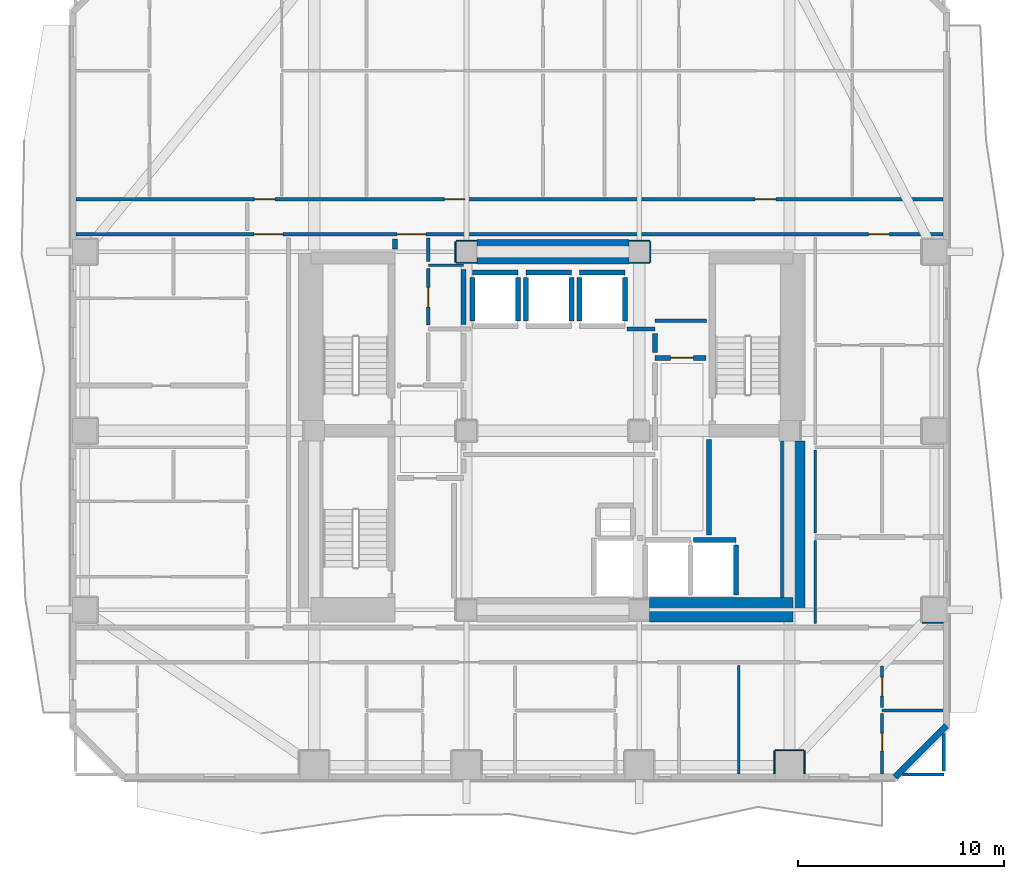
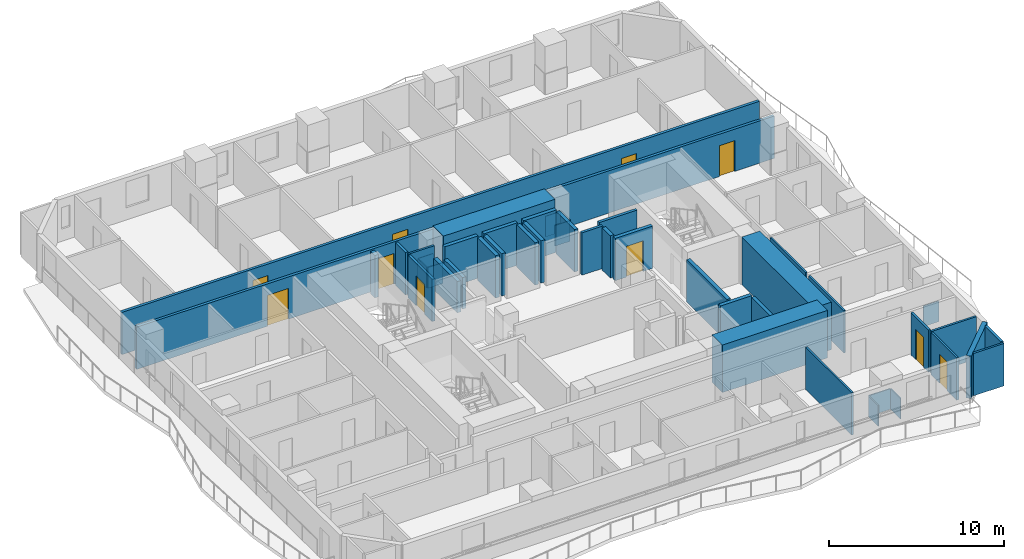
# One storey, part 5 of 12: 45 walls, 10 doors, 10 openings.
"""IFC4 building model written with IfcOpenShell, lengths in metres."""

from ifc_helpers import new_model, si_unit, direction, frame, frame_2d, origin, place, context, subcontext, project, spatial, rectangle, extrude, material, layer, layer_set, type_object, element, fill, save


model = new_model("IFC4")

# Units and contexts
model_context = context("Model", 3, precision=1e-05, world=origin(), true_north=direction((0.0, 1.0)))
body_context = subcontext(model_context, "Body", "Model", "MODEL_VIEW")
ifc_project = project(units=[si_unit("LENGTHUNIT", "METRE"), si_unit("AREAUNIT", "SQUARE_METRE"), si_unit("VOLUMEUNIT", "CUBIC_METRE"), si_unit("PLANEANGLEUNIT", "RADIAN"), si_unit("MASSUNIT", "GRAM", prefix="KILO")], contexts=[model_context])

# Site, building, storey
site_placement = place(None, origin())
site = spatial("IfcSite", under=ifc_project, at=site_placement, CompositionType="ELEMENT")
building_placement = place(site_placement, origin())
building = spatial("IfcBuilding", under=site, at=building_placement, Name="Solanera Arch Residences", CompositionType="ELEMENT")
storey_placement = place(building_placement, frame((0.0, 0.0, 85.080078125)))
storey = spatial("IfcBuildingStorey", under=building, at=storey_placement, Name="L24", CompositionType="ELEMENT", Elevation=85.080078125)

# Walls
ifc_material_1 = material(Name="Fire-Rated Gypsum Stud Partition", Category="gypsum")
ifc_layer_1 = layer(ifc_material_1, 0.06005859375)
ifc_layer_set_1 = layer_set([ifc_layer_1], Name="Fire-Rated Gypsum Stud Partition")
wall_type_1 = type_object("IfcWallType", Name="Column Acoustic Furring Wall 60", PredefinedType="PARTITIONING", material=ifc_layer_set_1)
for number, where, z_axis, x_axis, name in (
    (1, (20.300048828125, 38.867919921875, 0.0), (0.0, 0.0, 1.0), (1.0, 0.0, 0.0), "L24 Column Furring 3S"),
    (2, (20.300048828125, 39.931884765625, 0.0), (0.0, 0.0, 1.0), (1.0, 0.0, 0.0), "L24 Column Furring 3N"),
):
    element("IfcWall", number, at=place(storey_placement, frame(where, z_axis=z_axis, x_axis=x_axis)), inside=storey, type_object=wall_type_1, Name=name, PredefinedType="PARTITIONING", context=body_context, shape_type="SweptSolid", body=[
        extrude(rectangle(XDim=0.989990234375, YDim=0.06005859375, at=frame_2d((0.4951171875, 0.0))), origin(), (0.0, 0.0, 1.0), 1.449951171875),
    ])
wall_1_placement = place(storey_placement, frame((20.26806640625, 38.89990234375, 0.0), z_axis=(0.0, 0.0, 1.0), x_axis=(0.0, 1.0, 0.0)))
element("IfcWall", 3, at=wall_1_placement, inside=storey, type_object=wall_type_1, Name="L24 Column Furring 3W", PredefinedType="PARTITIONING", context=body_context, shape_type="SweptSolid", body=[
    extrude(rectangle(XDim=1.0, YDim=0.06005859375, at=frame_2d((0.5, 0.0))), origin(), (0.0, 0.0, 1.0), 1.449951171875),
])
for number, where, z_axis, x_axis, name in (
    (4, (28.7099609375, 38.867919921875, 0.0), (0.0, 0.0, 1.0), (1.0, 0.0, 0.0), "L24 Column Furring 4S"),
    (5, (28.7099609375, 39.931884765625, 0.0), (0.0, 0.0, 1.0), (1.0, 0.0, 0.0), "L24 Column Furring 4N"),
):
    element("IfcWall", number, at=place(storey_placement, frame(where, z_axis=z_axis, x_axis=x_axis)), inside=storey, type_object=wall_type_1, Name=name, PredefinedType="PARTITIONING", context=body_context, shape_type="SweptSolid", body=[
        extrude(rectangle(XDim=0.989990234375, YDim=0.06005859375, at=frame_2d((0.4951171875, 0.0))), origin(), (0.0, 0.0, 1.0), 1.449951171875),
    ])
wall_2_placement = place(storey_placement, frame((29.73193359375, 38.89990234375, 0.0), z_axis=(0.0, 0.0, 1.0), x_axis=(0.0, 1.0, 0.0)))
element("IfcWall", 6, at=wall_2_placement, inside=storey, type_object=wall_type_1, Name="L24 Column Furring 4E", PredefinedType="PARTITIONING", context=body_context, shape_type="SweptSolid", body=[
    extrude(rectangle(XDim=1.0, YDim=0.06005859375, at=frame_2d((0.5, 0.0))), origin(), (0.0, 0.0, 1.0), 1.449951171875),
])
wall_3_placement = place(storey_placement, frame((35.800048828125, 15.181884765625, 0.0), z_axis=(0.0, 0.0, 1.0), x_axis=(1.0, 0.0, 0.0)))
element("IfcWall", 7, at=wall_3_placement, inside=storey, type_object=wall_type_1, Name="L24 Column Furring 15N", PredefinedType="PARTITIONING", context=body_context, shape_type="SweptSolid", body=[
    extrude(rectangle(XDim=1.39990234375, YDim=0.06005859375, at=frame_2d((0.699951171875, 0.0))), origin(), (0.0, 0.0, 1.0), 1.449951171875),
])
for number, where, z_axis, x_axis, name in (
    (8, (35.76806640625, 14.030029296875, 0.0), (0.0, 0.0, 1.0), (0.0, 1.0, 0.0), "L24 Column Furring 15W"),
    (9, (37.23193359375, 14.030029296875, 0.0), (0.0, 0.0, 1.0), (0.0, 1.0, 0.0), "L24 Column Furring 15E"),
):
    element("IfcWall", number, at=place(storey_placement, frame(where, z_axis=z_axis, x_axis=x_axis)), inside=storey, type_object=wall_type_1, Name=name, PredefinedType="PARTITIONING", context=body_context, shape_type="SweptSolid", body=[
        extrude(rectangle(XDim=1.119873046875, YDim=0.06005859375, at=frame_2d((0.56005859375, 0.0))), origin(), (0.0, 0.0, 1.0), 1.449951171875),
    ])
wall_4_placement = place(storey_placement, frame((42.949951171875, 21.367919921875, 0.0), z_axis=(0.0, 0.0, 1.0), x_axis=(1.0, 0.0, 0.0)))
element("IfcWall", 10, at=wall_4_placement, inside=storey, type_object=wall_type_1, Name="L24 Column Furring 18S", PredefinedType="PARTITIONING", context=body_context, shape_type="SweptSolid", body=[
    extrude(rectangle(XDim=1.02001953125, YDim=0.06005859375, at=frame_2d((0.510009765625, 0.0))), origin(), (0.0, 0.0, 1.0), 1.449951171875),
])
ifc_material_2 = material(Name="Concrete C55/67 (f'c = 60 MPa)", Category="concrete")
ifc_layer_2 = layer(ifc_material_2, 1.199951171875)
ifc_layer_set_2 = layer_set([ifc_layer_2], Name="Concrete C55/67 (f'c = 60 MPa)")
wall_type_2 = type_object("IfcWallType", Name="Core Shear Wall CW-1200", PredefinedType="SHEAR", material=ifc_layer_set_2)
wall_5_placement = place(storey_placement, frame((36.659912109375, 22.0, 0.0), z_axis=(0.0, 0.0, 1.0), x_axis=(0.0, 1.0, 0.0)))
element("IfcWall", 11, at=wall_5_placement, inside=storey, type_object=wall_type_2, Name="L24 East Core South Shear Wall", PredefinedType="SHEAR", context=body_context, shape_type="SweptSolid", body=[
    extrude(rectangle(XDim=8.195068359375, YDim=1.199951171875, at=frame_2d((4.09765625, 0.0))), origin(), (0.0, 0.0, 1.0), 3.31982421875),
])
wall_6_placement = place(storey_placement, frame((29.705078125, 22.0, 0.0), z_axis=(0.0, 0.0, 1.0), x_axis=(1.0, 0.0, 0.0)))
element("IfcWall", 12, at=wall_6_placement, inside=storey, type_object=wall_type_2, Name="L24 South-East Core Shear Wall", PredefinedType="SHEAR", context=body_context, shape_type="SweptSolid", body=[
    extrude(rectangle(XDim=6.954833984375, YDim=1.199951171875, at=frame_2d((3.4775390625, 0.0))), origin(), (0.0, 0.0, 1.0), 3.31982421875),
])
wall_7_placement = place(storey_placement, frame((21.304931640625, 39.39990234375, 0.0), z_axis=(0.0, 0.0, 1.0), x_axis=(1.0, 0.0, 0.0)))
element("IfcWall", 13, at=wall_7_placement, inside=storey, type_object=wall_type_2, Name="L24 Central North Core Shear Wall", PredefinedType="SHEAR", context=body_context, shape_type="SweptSolid", body=[
    extrude(rectangle(XDim=7.39013671875, YDim=1.199951171875, at=frame_2d((3.695068359375, 0.0))), origin(), (0.0, 0.0, 1.0), 3.31982421875),
])
ifc_material_3 = material(Name="Autoclaved Aerated Concrete Blockwork", Category="masonry")
ifc_layer_3 = layer(ifc_material_3, 0.179931640625)
ifc_layer_set_3 = layer_set([ifc_layer_3], Name="Autoclaved Aerated Concrete Blockwork")
wall_type_3 = type_object("IfcWallType", Name="Corridor Fire Partition 180", PredefinedType="PARTITIONING", material=ifc_layer_set_3)
wall_8_placement = place(storey_placement, frame((28.593017578125, 35.64990234375, 0.0), z_axis=(0.0, 0.0, 1.0), x_axis=(1.0, 0.0, 0.0)))
element("IfcWall", 14, at=wall_8_placement, inside=storey, type_object=wall_type_3, Name="L24 Interior Partition H10 2", PredefinedType="PARTITIONING", context=body_context, shape_type="SweptSolid", body=[
    extrude(rectangle(XDim=1.382080078125, YDim=0.179931640625, at=frame_2d((0.69091796875, 0.0))), origin(), (0.0, 0.0, 1.0), 2.9599609375),
])
wall_9_placement = place(storey_placement, frame((29.97509765625, 36.050048828125, 0.0), z_axis=(0.0, 0.0, 1.0), x_axis=(1.0, 0.0, 0.0)))
element("IfcWall", 15, at=wall_9_placement, inside=storey, type_object=wall_type_3, Name="L24 Interior Partition H11", PredefinedType="PARTITIONING", context=body_context, shape_type="SweptSolid", body=[
    extrude(rectangle(XDim=2.5048828125, YDim=0.179931640625, at=frame_2d((1.25244140625, 0.0))), origin(), (0.0, 0.0, 1.0), 2.9599609375),
])

# Wall, openings, doors
wall_10_placement = place(storey_placement, frame((1.826904296875, 40.25, 0.0), z_axis=(0.0, 0.0, 1.0), x_axis=(1.0, 0.0, 0.0)))
wall_10 = element("IfcWall", 16, at=wall_10_placement, inside=storey, type_object=wall_type_3, Name="L24 Interior Partition H12", PredefinedType="PARTITIONING", context=body_context, shape_type="SweptSolid", body=[
    extrude(rectangle(XDim=42.14599609375, YDim=0.179931640625, at=frame_2d((21.072998046875, 0.0))), origin(), (0.0, 0.0, 1.0), 2.9599609375),
])
opening_1_placement = place(wall_10_placement, frame((15.60791015625, 0.0, 0.0)))
opening_1 = element("IfcOpeningElement", 17, at=opening_1_placement, cuts=wall_10, Name="Opening DF-03", PredefinedType="OPENING", context=body_context, shape_type="SweptSolid", body=[
    extrude(rectangle(XDim=1.39990234375, YDim=2.14990234375, at=frame_2d((0.699951171875, 1.074951171875))), frame((0.0, 0.10009765625, 0.0), z_axis=(0.0, -1.0, 0.0), x_axis=(1.0, 0.0, 0.0)), (0.0, 0.0, 1.0), 0.1999),
])
opening_2_placement = place(wall_10_placement, frame((8.64697265625, 0.0, 0.0)))
opening_2 = element("IfcOpeningElement", 18, at=opening_2_placement, cuts=wall_10, Name="Opening DF-03", PredefinedType="OPENING", context=body_context, shape_type="SweptSolid", body=[
    extrude(rectangle(XDim=1.39990234375, YDim=2.14990234375, at=frame_2d((0.699951171875, 1.074951171875))), frame((0.0, 0.10009765625, 0.0), z_axis=(0.0, -1.0, 0.0), x_axis=(1.0, 0.0, 0.0)), (0.0, 0.0, 1.0), 0.1999),
])
opening_3_placement = place(wall_10_placement, frame((38.52392578125, 0.0, 0.0)))
opening_3 = element("IfcOpeningElement", 19, at=opening_3_placement, cuts=wall_10, Name="Opening DI-01", PredefinedType="OPENING", context=body_context, shape_type="SweptSolid", body=[
    extrude(rectangle(XDim=1.0, YDim=2.14990234375, at=frame_2d((0.5, 1.074951171875))), frame((0.0, 0.10009765625, 0.0), z_axis=(0.0, -1.0, 0.0), x_axis=(1.0, 0.0, 0.0)), (0.0, 0.0, 1.0), 0.1999),
])
ifc_material_4 = material(Name="Fire-Rated Architectural Hardwood", Category="wood")
door_type_1 = type_object("IfcDoorType", Name="Corridor Smoke Door DF-03", OperationType="NOTDEFINED", PredefinedType="DOOR", material=ifc_material_4)
door_1_placement = place(opening_1_placement, origin())
door_1 = element("IfcDoor", 20, at=door_1_placement, inside=storey, type_object=door_type_1, Name="DR-L24-IN-009", OperationType="SINGLE_SWING_LEFT", OverallHeight=2.14990234375, OverallWidth=1.39990234375, PredefinedType="DOOR", context=body_context, shape_type="SweptSolid", body=[
    extrude(rectangle(XDim=1.39990234375, YDim=2.14990234375, at=frame_2d((0.699951171875, 1.074951171875))), frame((0.0, 0.02490234375, 0.0), z_axis=(0.0, -1.0, 0.0), x_axis=(1.0, 0.0, 0.0)), (0.0, 0.0, 1.0), 0.050048828125),
])
fill(opening_1, door_1)
door_2_placement = place(opening_2_placement, origin())
door_2 = element("IfcDoor", 21, at=door_2_placement, inside=storey, type_object=door_type_1, Name="DR-L24-IN-011", OperationType="SINGLE_SWING_LEFT", OverallHeight=2.14990234375, OverallWidth=1.39990234375, PredefinedType="DOOR", context=body_context, shape_type="SweptSolid", body=[
    extrude(rectangle(XDim=1.39990234375, YDim=2.14990234375, at=frame_2d((0.699951171875, 1.074951171875))), frame((0.0, 0.02490234375, 0.0), z_axis=(0.0, -1.0, 0.0), x_axis=(1.0, 0.0, 0.0)), (0.0, 0.0, 1.0), 0.050048828125),
])
fill(opening_2, door_2)
ifc_material_5 = material(Name="Fire-Rated Architectural Hardwood", Category="wood")
door_type_2 = type_object("IfcDoorType", Name="Unit Entrance Fire Door DI-01", OperationType="NOTDEFINED", PredefinedType="DOOR", material=ifc_material_5)
door_3_placement = place(opening_3_placement, origin())
door_3 = element("IfcDoor", 22, at=door_3_placement, inside=storey, type_object=door_type_2, Name="DR-L24-IN-052", OperationType="SINGLE_SWING_RIGHT", OverallHeight=2.14990234375, OverallWidth=1.0, PredefinedType="DOOR", context=body_context, shape_type="SweptSolid", body=[
    extrude(rectangle(XDim=1.0, YDim=2.14990234375, at=frame_2d((0.5, 1.074951171875))), frame((0.0, 0.02490234375, 0.0), z_axis=(0.0, -1.0, 0.0), x_axis=(1.0, 0.0, 0.0)), (0.0, 0.0, 1.0), 0.050048828125),
])
fill(opening_3, door_3)

wall_11_placement = place(storey_placement, frame((1.826904296875, 41.949951171875, 0.0), z_axis=(0.0, 0.0, 1.0), x_axis=(1.0, 0.0, 0.0)))
wall_11 = element("IfcWall", 23, at=wall_11_placement, inside=storey, type_object=wall_type_3, Name="L24 Interior Partition H13", PredefinedType="PARTITIONING", context=body_context, shape_type="SweptSolid", body=[
    extrude(rectangle(XDim=42.14599609375, YDim=0.179931640625, at=frame_2d((21.072998046875, 0.0))), origin(), (0.0, 0.0, 1.0), 2.9599609375),
])
opening_4_placement = place(wall_11_placement, frame((8.66796875, 0.0, 0.0)))
opening_4 = element("IfcOpeningElement", 24, at=opening_4_placement, cuts=wall_11, Name="Opening DI-01", PredefinedType="OPENING", context=body_context, shape_type="SweptSolid", body=[
    extrude(rectangle(XDim=1.0, YDim=2.14990234375, at=frame_2d((0.5, 1.074951171875))), frame((0.0, 0.10009765625, 0.0), z_axis=(0.0, -1.0, 0.0), x_axis=(1.0, 0.0, 0.0)), (0.0, 0.0, 1.0), 0.1999),
])
opening_5_placement = place(wall_11_placement, frame((17.902099609375, 0.0, 0.0)))
opening_5 = element("IfcOpeningElement", 25, at=opening_5_placement, cuts=wall_11, Name="Opening DI-01", PredefinedType="OPENING", context=body_context, shape_type="SweptSolid", body=[
    extrude(rectangle(XDim=1.0, YDim=2.14990234375, at=frame_2d((0.5, 1.074951171875))), frame((0.0, 0.10009765625, 0.0), z_axis=(0.0, -1.0, 0.0), x_axis=(1.0, 0.0, 0.0)), (0.0, 0.0, 1.0), 0.1999),
])
opening_6_placement = place(wall_11_placement, frame((33.010009765625, 0.0, 0.0)))
opening_6 = element("IfcOpeningElement", 26, at=opening_6_placement, cuts=wall_11, Name="Opening DI-01", PredefinedType="OPENING", context=body_context, shape_type="SweptSolid", body=[
    extrude(rectangle(XDim=1.0, YDim=2.14990234375, at=frame_2d((0.5, 1.074951171875))), frame((0.0, 0.10009765625, 0.0), z_axis=(0.0, -1.0, 0.0), x_axis=(1.0, 0.0, 0.0)), (0.0, 0.0, 1.0), 0.1999),
])
door_4_placement = place(opening_4_placement, origin())
door_4 = element("IfcDoor", 27, at=door_4_placement, inside=storey, type_object=door_type_2, Name="DR-L24-IN-026", OperationType="SINGLE_SWING_RIGHT", OverallHeight=2.14990234375, OverallWidth=1.0, PredefinedType="DOOR", context=body_context, shape_type="SweptSolid", body=[
    extrude(rectangle(XDim=1.0, YDim=2.14990234375, at=frame_2d((0.5, 1.074951171875))), frame((0.0, 0.02490234375, 0.0), z_axis=(0.0, -1.0, 0.0), x_axis=(1.0, 0.0, 0.0)), (0.0, 0.0, 1.0), 0.050048828125),
])
fill(opening_4, door_4)
door_5_placement = place(opening_5_placement, origin())
door_5 = element("IfcDoor", 28, at=door_5_placement, inside=storey, type_object=door_type_2, Name="DR-L24-IN-031", OperationType="SINGLE_SWING_LEFT", OverallHeight=2.14990234375, OverallWidth=1.0, PredefinedType="DOOR", context=body_context, shape_type="SweptSolid", body=[
    extrude(rectangle(XDim=1.0, YDim=2.14990234375, at=frame_2d((0.5, 1.074951171875))), frame((0.0, 0.02490234375, 0.0), z_axis=(0.0, -1.0, 0.0), x_axis=(1.0, 0.0, 0.0)), (0.0, 0.0, 1.0), 0.050048828125),
])
fill(opening_5, door_5)
door_6_placement = place(opening_6_placement, origin())
door_6 = element("IfcDoor", 29, at=door_6_placement, inside=storey, type_object=door_type_2, Name="DR-L24-IN-035", OperationType="SINGLE_SWING_LEFT", OverallHeight=2.14990234375, OverallWidth=1.0, PredefinedType="DOOR", context=body_context, shape_type="SweptSolid", body=[
    extrude(rectangle(XDim=1.0, YDim=2.14990234375, at=frame_2d((0.5, 1.074951171875))), frame((0.0, 0.02490234375, 0.0), z_axis=(0.0, -1.0, 0.0), x_axis=(1.0, 0.0, 0.0)), (0.0, 0.0, 1.0), 0.050048828125),
])
fill(opening_6, door_6)

# Wall, opening, door
wall_12_placement = place(storey_placement, frame((18.949951171875, 35.837890625, 0.0), z_axis=(0.0, 0.0, 1.0), x_axis=(0.0, 1.0, 0.0)))
wall_12 = element("IfcWall", 30, at=wall_12_placement, inside=storey, type_object=wall_type_3, Name="L24 Interior Partition V8 2", PredefinedType="PARTITIONING", context=body_context, shape_type="SweptSolid", body=[
    extrude(rectangle(XDim=2.744140625, YDim=0.179931640625, at=frame_2d((1.3720703125, 0.0))), origin(), (0.0, 0.0, 1.0), 2.9599609375),
])
opening_7_placement = place(wall_12_placement, frame((0.886962890625, 0.0, 0.0)))
opening_7 = element("IfcOpeningElement", 31, at=opening_7_placement, cuts=wall_12, Name="Opening DI-04", PredefinedType="OPENING", context=body_context, shape_type="SweptSolid", body=[
    extrude(rectangle(XDim=0.949951171875, YDim=2.10009765625, at=frame_2d((0.47509765625, 1.050048828125))), frame((0.0, 0.10009765625, 0.0), z_axis=(0.0, -1.0, 0.0), x_axis=(1.0, 0.0, 0.0)), (0.0, 0.0, 1.0), 0.1999),
])
ifc_material_6 = material(Name="Fire-Rated Architectural Hardwood", Category="wood")
door_type_3 = type_object("IfcDoorType", Name="Accessible Restroom Door DI-04", OperationType="NOTDEFINED", PredefinedType="DOOR", material=ifc_material_6)
door_7_placement = place(opening_7_placement, origin())
door_7 = element("IfcDoor", 32, at=door_7_placement, inside=storey, type_object=door_type_3, Name="DR-L24-IN-012", OperationType="SINGLE_SWING_RIGHT", OverallHeight=2.10009765625, OverallWidth=0.949951171875, PredefinedType="DOOR", context=body_context, shape_type="SweptSolid", body=[
    extrude(rectangle(XDim=0.949951171875, YDim=2.10009765625, at=frame_2d((0.47509765625, 1.050048828125))), frame((0.0, 0.02490234375, 0.0), z_axis=(0.0, -1.0, 0.0), x_axis=(1.0, 0.0, 0.0)), (0.0, 0.0, 1.0), 0.050048828125),
])
fill(opening_7, door_7)

# Walls
wall_13_placement = place(storey_placement, frame((18.949951171875, 38.91796875, 0.0), z_axis=(0.0, 0.0, 1.0), x_axis=(0.0, 1.0, 0.0)))
element("IfcWall", 33, at=wall_13_placement, inside=storey, type_object=wall_type_3, Name="L24 Interior Partition V8 3", PredefinedType="PARTITIONING", context=body_context, shape_type="SweptSolid", body=[
    extrude(rectangle(XDim=1.14404296875, YDim=0.179931640625, at=frame_2d((0.572021484375, 0.0))), origin(), (0.0, 0.0, 1.0), 2.9599609375),
])
wall_14_placement = place(storey_placement, frame((44.0, 14.16796875, 0.0), z_axis=(0.0, 0.0, 1.0), x_axis=(0.0, 1.0, 0.0)))
element("IfcWall", 34, at=wall_14_placement, inside=storey, type_object=wall_type_3, Name="L24 Interior Partition V9 1", PredefinedType="PARTITIONING", context=body_context, shape_type="SweptSolid", body=[
    extrude(rectangle(XDim=1.8330078125, YDim=0.179931640625, at=frame_2d((0.91650390625, 0.0))), origin(), (0.0, 0.0, 1.0), 2.9599609375),
])
ifc_material_7 = material(Name="Precast Concrete C35/45", Category="concrete")
ifc_layer_4 = layer(ifc_material_7, 0.300048828125)
ifc_layer_set_4 = layer_set([ifc_layer_4], Name="Precast Concrete C35/45")
wall_type_4 = type_object("IfcWallType", Name="Exterior Wall Precast Masonry-Frame 300", PredefinedType="STANDARD", material=ifc_layer_set_4)
wall_15_placement = place(storey_placement, frame((44.135009765625, 16.364990234375, 0.0), z_axis=(0.0, 0.0, 1.0), x_axis=(-0.707106781187, -0.707106781187, 0.0)))
element("IfcWall", 35, at=wall_15_placement, inside=storey, type_object=wall_type_4, Name="L24 Tower Exterior Precast Masonry-Frame Wall CH5", PredefinedType="STANDARD", context=body_context, shape_type="SweptSolid", body=[
    extrude(rectangle(XDim=3.53564453125, YDim=0.300048828125, at=frame_2d((1.767822265625, 0.0))), origin(), (0.0, 0.0, 1.0), 2.9599609375),
])
ifc_material_8 = material(Name="Autoclaved Aerated Concrete Blockwork", Category="masonry")
ifc_layer_5 = layer(ifc_material_8, 0.239990234375)
ifc_layer_set_5 = layer_set([ifc_layer_5], Name="Autoclaved Aerated Concrete Blockwork")
wall_type_5 = type_object("IfcWallType", Name="Shaft Wall Fire-Rated 240", PredefinedType="PARTITIONING", material=ifc_layer_set_5)
wall_16_placement = place(storey_placement, frame((21.10009765625, 38.39990234375, 0.0), z_axis=(0.0, 0.0, 1.0), x_axis=(1.0, 0.0, 0.0)))
element("IfcWall", 36, at=wall_16_placement, inside=storey, type_object=wall_type_5, Name="L24 Lift PL-L1 Hoistway Wall N", PredefinedType="PARTITIONING", context=body_context, shape_type="SweptSolid", body=[
    extrude(rectangle(XDim=2.199951171875, YDim=0.239990234375, at=frame_2d((1.10009765625, 0.0))), origin(), (0.0, 0.0, 1.0), 2.9599609375),
])
wall_17_placement = place(storey_placement, frame((21.10009765625, 36.048095703125, 0.0), z_axis=(0.0, 0.0, 1.0), x_axis=(0.0, 1.0, 0.0)))
element("IfcWall", 37, at=wall_17_placement, inside=storey, type_object=wall_type_5, Name="L24 Lift PL-L1 Hoistway Wall W", PredefinedType="PARTITIONING", context=body_context, shape_type="SweptSolid", body=[
    extrude(rectangle(XDim=2.10400390625, YDim=0.239990234375, at=frame_2d((1.052001953125, 0.0))), origin(), (0.0, 0.0, 1.0), 2.19482421875),
])
wall_18_placement = place(storey_placement, frame((23.300048828125, 36.048095703125, 0.0), z_axis=(0.0, 0.0, 1.0), x_axis=(0.0, 1.0, 0.0)))
element("IfcWall", 38, at=wall_18_placement, inside=storey, type_object=wall_type_5, Name="L24 Lift PL-L1 Hoistway Wall E", PredefinedType="PARTITIONING", context=body_context, shape_type="SweptSolid", body=[
    extrude(rectangle(XDim=2.10400390625, YDim=0.239990234375, at=frame_2d((1.052001953125, 0.0))), origin(), (0.0, 0.0, 1.0), 2.9599609375),
])
wall_19_placement = place(storey_placement, frame((23.699951171875, 38.39990234375, 0.0), z_axis=(0.0, 0.0, 1.0), x_axis=(1.0, 0.0, 0.0)))
element("IfcWall", 39, at=wall_19_placement, inside=storey, type_object=wall_type_5, Name="L24 Lift PL-L2 Hoistway Wall N", PredefinedType="PARTITIONING", context=body_context, shape_type="SweptSolid", body=[
    extrude(rectangle(XDim=2.199951171875, YDim=0.239990234375, at=frame_2d((1.10009765625, 0.0))), origin(), (0.0, 0.0, 1.0), 2.9599609375),
])
for number, where, z_axis, x_axis, name in (
    (40, (23.699951171875, 36.048095703125, 0.0), (0.0, 0.0, 1.0), (0.0, 1.0, 0.0), "L24 Lift PL-L2 Hoistway Wall W"),
    (41, (25.89990234375, 36.048095703125, 0.0), (0.0, 0.0, 1.0), (0.0, 1.0, 0.0), "L24 Lift PL-L2 Hoistway Wall E"),
):
    element("IfcWall", number, at=place(storey_placement, frame(where, z_axis=z_axis, x_axis=x_axis)), inside=storey, type_object=wall_type_5, Name=name, PredefinedType="PARTITIONING", context=body_context, shape_type="SweptSolid", body=[
        extrude(rectangle(XDim=2.10400390625, YDim=0.239990234375, at=frame_2d((1.052001953125, 0.0))), origin(), (0.0, 0.0, 1.0), 2.9599609375),
    ])
wall_20_placement = place(storey_placement, frame((26.300048828125, 38.39990234375, 0.0), z_axis=(0.0, 0.0, 1.0), x_axis=(1.0, 0.0, 0.0)))
element("IfcWall", 42, at=wall_20_placement, inside=storey, type_object=wall_type_5, Name="L24 Lift PL-L3 Hoistway Wall N", PredefinedType="PARTITIONING", context=body_context, shape_type="SweptSolid", body=[
    extrude(rectangle(XDim=2.199951171875, YDim=0.239990234375, at=frame_2d((1.10009765625, 0.0))), origin(), (0.0, 0.0, 1.0), 2.9599609375),
])
for number, where, z_axis, x_axis, name in (
    (43, (26.300048828125, 36.048095703125, 0.0), (0.0, 0.0, 1.0), (0.0, 1.0, 0.0), "L24 Lift PL-L3 Hoistway Wall W"),
    (44, (28.5, 36.048095703125, 0.0), (0.0, 0.0, 1.0), (0.0, 1.0, 0.0), "L24 Lift PL-L3 Hoistway Wall E"),
):
    element("IfcWall", number, at=place(storey_placement, frame(where, z_axis=z_axis, x_axis=x_axis)), inside=storey, type_object=wall_type_5, Name=name, PredefinedType="PARTITIONING", context=body_context, shape_type="SweptSolid", body=[
        extrude(rectangle(XDim=2.10400390625, YDim=0.239990234375, at=frame_2d((1.052001953125, 0.0))), origin(), (0.0, 0.0, 1.0), 2.9599609375),
    ])
wall_21_placement = place(storey_placement, frame((31.827880859375, 25.39990234375, 0.0), z_axis=(0.0, 0.0, 1.0), x_axis=(1.0, 0.0, 0.0)))
element("IfcWall", 45, at=wall_21_placement, inside=storey, type_object=wall_type_5, Name="L24 Lift FFL-2 Hoistway Wall N", PredefinedType="PARTITIONING", context=body_context, shape_type="SweptSolid", body=[
    extrude(rectangle(XDim=2.072021484375, YDim=0.239990234375, at=frame_2d((1.0361328125, 0.0))), origin(), (0.0, 0.0, 1.0), 2.9599609375),
])
wall_22_placement = place(storey_placement, frame((33.89990234375, 22.72998046875, 0.0), z_axis=(0.0, 0.0, 1.0), x_axis=(0.0, 1.0, 0.0)))
element("IfcWall", 46, at=wall_22_placement, inside=storey, type_object=wall_type_5, Name="L24 Lift FFL-2 Hoistway Wall E", PredefinedType="PARTITIONING", context=body_context, shape_type="SweptSolid", body=[
    extrude(rectangle(XDim=2.422119140625, YDim=0.239990234375, at=frame_2d((1.2109375, 0.0))), origin(), (0.0, 0.0, 1.0), 2.9599609375),
])

# Wall, opening, door
wall_23_placement = place(storey_placement, frame((29.97509765625, 34.25, 0.0), z_axis=(0.0, 0.0, 1.0), x_axis=(1.0, 0.0, 0.0)))
wall_23 = element("IfcWall", 47, at=wall_23_placement, inside=storey, type_object=wall_type_5, Name="L24 Interior Partition H7", PredefinedType="PARTITIONING", context=body_context, shape_type="SweptSolid", body=[
    extrude(rectangle(XDim=2.474853515625, YDim=0.239990234375, at=frame_2d((1.2373046875, 0.0))), origin(), (0.0, 0.0, 1.0), 2.9599609375),
])
opening_8_placement = place(wall_23_placement, frame((0.751953125, 0.0, 0.0)))
opening_8 = element("IfcOpeningElement", 48, at=opening_8_placement, cuts=wall_23, Name="Opening DF-02", PredefinedType="OPENING", context=body_context, shape_type="SweptSolid", body=[
    extrude(rectangle(XDim=1.10009765625, YDim=2.14990234375, at=frame_2d((0.550048828125, 1.074951171875))), frame((0.0, 0.1298828125, 0.0), z_axis=(0.0, -1.0, 0.0), x_axis=(1.0, 0.0, 0.0)), (0.0, 0.0, 1.0), 0.26),
])
ifc_material_9 = material(Name="Fire-Rated Architectural Hardwood", Category="wood")
door_type_4 = type_object("IfcDoorType", Name="Firefighting Lobby Fire Door DF-02", OperationType="NOTDEFINED", PredefinedType="DOOR", material=ifc_material_9)
door_8_placement = place(opening_8_placement, origin())
door_8 = element("IfcDoor", 49, at=door_8_placement, inside=storey, type_object=door_type_4, Name="DR-L24-IN-007", OperationType="SINGLE_SWING_LEFT", OverallHeight=2.14990234375, OverallWidth=1.10009765625, PredefinedType="DOOR", context=body_context, shape_type="SweptSolid", body=[
    extrude(rectangle(XDim=1.10009765625, YDim=2.14990234375, at=frame_2d((0.550048828125, 1.074951171875))), frame((0.0, 0.02490234375, 0.0), z_axis=(0.0, -1.0, 0.0), x_axis=(1.0, 0.0, 0.0)), (0.0, 0.0, 1.0), 0.050048828125),
])
fill(opening_8, door_8)

# Walls
wall_24_placement = place(storey_placement, frame((17.320068359375, 39.530029296875, 0.0), z_axis=(0.0, 0.0, 1.0), x_axis=(0.0, 1.0, 0.0)))
element("IfcWall", 50, at=wall_24_placement, inside=storey, type_object=wall_type_5, Name="L24 Interior Partition V1", PredefinedType="PARTITIONING", context=body_context, shape_type="SweptSolid", body=[
    extrude(rectangle(XDim=0.501953125, YDim=0.239990234375, at=frame_2d((0.2509765625, 0.0))), origin(), (0.0, 0.0, 1.0), 2.9599609375),
])
wall_25_placement = place(storey_placement, frame((20.64990234375, 35.867919921875, 0.0), z_axis=(0.0, 0.0, 1.0), x_axis=(0.0, 1.0, 0.0)))
element("IfcWall", 51, at=wall_25_placement, inside=storey, type_object=wall_type_5, Name="L24 Interior Partition V3 5", PredefinedType="PARTITIONING", context=body_context, shape_type="SweptSolid", body=[
    extrude(rectangle(XDim=2.68408203125, YDim=0.239990234375, at=frame_2d((1.342041015625, 0.0))), origin(), (0.0, 0.0, 1.0), 2.19482421875),
])
wall_26_placement = place(storey_placement, frame((29.97509765625, 34.498046875, 0.0), z_axis=(0.0, 0.0, 1.0), x_axis=(0.0, 1.0, 0.0)))
element("IfcWall", 52, at=wall_26_placement, inside=storey, type_object=wall_type_5, Name="L24 Interior Partition V4 3", PredefinedType="PARTITIONING", context=body_context, shape_type="SweptSolid", body=[
    extrude(rectangle(XDim=0.933837890625, YDim=0.239990234375, at=frame_2d((0.466796875, 0.0))), origin(), (0.0, 0.0, 1.0), 2.9599609375),
])
wall_27_placement = place(storey_placement, frame((32.580078125, 25.64794921875, 0.0), z_axis=(0.0, 0.0, 1.0), x_axis=(0.0, 1.0, 0.0)))
element("IfcWall", 53, at=wall_27_placement, inside=storey, type_object=wall_type_5, Name="L24 Interior Partition V5", PredefinedType="PARTITIONING", context=body_context, shape_type="SweptSolid", body=[
    extrude(rectangle(XDim=4.6220703125, YDim=0.239990234375, at=frame_2d((2.31103515625, 0.0))), origin(), (0.0, 0.0, 1.0), 2.9599609375),
])
ifc_material_10 = material(Name="Fire-Rated Gypsum Stud Partition", Category="gypsum")
ifc_layer_6 = layer(ifc_material_10, 0.1201171875)
ifc_layer_set_6 = layer_set([ifc_layer_6], Name="Fire-Rated Gypsum Stud Partition")
wall_type_6 = type_object("IfcWallType", Name="Unit Drywall Partition 120", PredefinedType="PARTITIONING", material=ifc_layer_set_6)
wall_28_placement = place(storey_placement, frame((34.0400390625, 14.027099609375, 0.0), z_axis=(0.0, 0.0, 1.0), x_axis=(0.0, 1.0, 0.0)))
element("IfcWall", 54, at=wall_28_placement, inside=storey, type_object=wall_type_6, Name="L24 Interior Partition V29", PredefinedType="PARTITIONING", context=body_context, shape_type="SweptSolid", body=[
    extrude(rectangle(XDim=5.264892578125, YDim=0.1201171875, at=frame_2d((2.63232421875, 0.0))), origin(), (0.0, 0.0, 1.0), 2.9599609375),
])
wall_29_placement = place(storey_placement, frame((37.75, 21.337890625, 0.0), z_axis=(0.0, 0.0, 1.0), x_axis=(0.0, 1.0, 0.0)))
element("IfcWall", 55, at=wall_29_placement, inside=storey, type_object=wall_type_6, Name="L24 Interior Partition V30 1", PredefinedType="PARTITIONING", context=body_context, shape_type="SweptSolid", body=[
    extrude(rectangle(XDim=4.024169921875, YDim=0.1201171875, at=frame_2d((2.01220703125, 0.0))), origin(), (0.0, 0.0, 1.0), 2.9599609375),
])
wall_30_placement = place(storey_placement, frame((37.75, 25.738037109375, 0.0), z_axis=(0.0, 0.0, 1.0), x_axis=(0.0, 1.0, 0.0)))
element("IfcWall", 56, at=wall_30_placement, inside=storey, type_object=wall_type_6, Name="L24 Interior Partition V30 2", PredefinedType="PARTITIONING", context=body_context, shape_type="SweptSolid", body=[
    extrude(rectangle(XDim=4.02392578125, YDim=0.1201171875, at=frame_2d((2.011962890625, 0.0))), origin(), (0.0, 0.0, 1.0), 2.9599609375),
])
ifc_material_11 = material(Name="Autoclaved Aerated Concrete Blockwork", Category="masonry")
ifc_layer_7 = layer(ifc_material_11, 0.139892578125)
ifc_layer_set_7 = layer_set([ifc_layer_7], Name="Autoclaved Aerated Concrete Blockwork")
wall_type_7 = type_object("IfcWallType", Name="Wet-Room Partition 140", PredefinedType="PARTITIONING", material=ifc_layer_set_7)
wall_31_placement = place(storey_placement, frame((41.9990234375, 14.0, 0.0), z_axis=(0.0, 0.0, 1.0), x_axis=(1.0, 0.0, 0.0)))
element("IfcWall", 57, at=wall_31_placement, inside=storey, type_object=wall_type_7, Name="L24 Interior Partition H14 2", PredefinedType="PARTITIONING", context=body_context, shape_type="SweptSolid", body=[
    extrude(rectangle(XDim=2.0009765625, YDim=0.139892578125, at=frame_2d((1.00048828125, 0.0))), origin(), (0.0, 0.0, 1.0), 2.9599609375),
])
wall_32_placement = place(storey_placement, frame((41.0, 17.10693359375, 0.0), z_axis=(0.0, 0.0, 1.0), x_axis=(1.0, 0.0, 0.0)))
element("IfcWall", 58, at=wall_32_placement, inside=storey, type_object=wall_type_7, Name="L24 Interior Partition H18", PredefinedType="PARTITIONING", context=body_context, shape_type="SweptSolid", body=[
    extrude(rectangle(XDim=2.972900390625, YDim=0.139892578125, at=frame_2d((1.486328125, 0.0))), origin(), (0.0, 0.0, 1.0), 2.9599609375),
])
wall_33_placement = place(storey_placement, frame((18.949951171875, 38.75, 0.0), z_axis=(0.0, 0.0, 1.0), x_axis=(1.0, 0.0, 0.0)))
element("IfcWall", 59, at=wall_33_placement, inside=storey, type_object=wall_type_7, Name="L24 Interior Partition H24", PredefinedType="PARTITIONING", context=body_context, shape_type="SweptSolid", body=[
    extrude(rectangle(XDim=1.699951171875, YDim=0.139892578125, at=frame_2d((0.85009765625, 0.0))), origin(), (0.0, 0.0, 1.0), 2.9599609375),
])

# Wall, opening, door
wall_34_placement = place(storey_placement, frame((41.0, 14.027099609375, 0.0), z_axis=(0.0, 0.0, 1.0), x_axis=(0.0, 1.0, 0.0)))
wall_34 = element("IfcWall", 60, at=wall_34_placement, inside=storey, type_object=wall_type_7, Name="L24 Interior Partition V26 1", PredefinedType="PARTITIONING", context=body_context, shape_type="SweptSolid", body=[
    extrude(rectangle(XDim=2.931884765625, YDim=0.139892578125, at=frame_2d((1.4658203125, 0.0))), origin(), (0.0, 0.0, 1.0), 2.9599609375),
])
opening_9_placement = place(wall_34_placement, frame((1.10888671875, 0.0, 0.0)))
opening_9 = element("IfcOpeningElement", 61, at=opening_9_placement, cuts=wall_34, Name="Opening DI-05", PredefinedType="OPENING", context=body_context, shape_type="SweptSolid", body=[
    extrude(rectangle(XDim=0.860107421875, YDim=2.02001953125, at=frame_2d((0.43017578125, 1.010009765625))), frame((0.0, 0.079833984375, 0.0), z_axis=(0.0, -1.0, 0.0), x_axis=(1.0, 0.0, 0.0)), (0.0, 0.0, 1.0), 0.1599),
])
ifc_material_12 = material(Name="Fire-Rated Architectural Hardwood", Category="wood")
door_type_5 = type_object("IfcDoorType", Name="Bathroom Swing Door DI-05", OperationType="NOTDEFINED", PredefinedType="DOOR", material=ifc_material_12)
door_9_placement = place(opening_9_placement, origin())
door_9 = element("IfcDoor", 62, at=door_9_placement, inside=storey, type_object=door_type_5, Name="DR-L24-IN-025", OperationType="SINGLE_SWING_LEFT", OverallHeight=2.02001953125, OverallWidth=0.860107421875, PredefinedType="DOOR", context=body_context, shape_type="SweptSolid", body=[
    extrude(rectangle(XDim=0.860107421875, YDim=2.02001953125, at=frame_2d((0.43017578125, 1.010009765625))), frame((0.0, 0.02490234375, 0.0), z_axis=(0.0, -1.0, 0.0), x_axis=(1.0, 0.0, 0.0)), (0.0, 0.0, 1.0), 0.050048828125),
])
fill(opening_9, door_9)

wall_35_placement = place(storey_placement, frame((41.0, 17.2548828125, 0.0), z_axis=(0.0, 0.0, 1.0), x_axis=(0.0, 1.0, 0.0)))
wall_35 = element("IfcWall", 63, at=wall_35_placement, inside=storey, type_object=wall_type_7, Name="L24 Interior Partition V26 2", PredefinedType="PARTITIONING", context=body_context, shape_type="SweptSolid", body=[
    extrude(rectangle(XDim=2.027099609375, YDim=0.139892578125, at=frame_2d((1.013671875, 0.0))), origin(), (0.0, 0.0, 1.0), 2.9599609375),
])
opening_10_placement = place(wall_35_placement, frame((0.56103515625, 0.0, 0.0)))
opening_10 = element("IfcOpeningElement", 64, at=opening_10_placement, cuts=wall_35, Name="Opening DI-02", PredefinedType="OPENING", context=body_context, shape_type="SweptSolid", body=[
    extrude(rectangle(XDim=0.89990234375, YDim=2.10009765625, at=frame_2d((0.449951171875, 1.050048828125))), frame((0.0, 0.079833984375, 0.0), z_axis=(0.0, -1.0, 0.0), x_axis=(1.0, 0.0, 0.0)), (0.0, 0.0, 1.0), 0.1599),
])
ifc_material_13 = material(Name="Fire-Rated Architectural Hardwood", Category="wood")
door_type_6 = type_object("IfcDoorType", Name="Suite Room Swing Door DI-02", OperationType="NOTDEFINED", PredefinedType="DOOR", material=ifc_material_13)
door_10_placement = place(opening_10_placement, origin())
door_10 = element("IfcDoor", 65, at=door_10_placement, inside=storey, type_object=door_type_6, Name="DR-L24-IN-024", OperationType="SINGLE_SWING_RIGHT", OverallHeight=2.10009765625, OverallWidth=0.89990234375, PredefinedType="DOOR", context=body_context, shape_type="SweptSolid", body=[
    extrude(rectangle(XDim=0.89990234375, YDim=2.10009765625, at=frame_2d((0.449951171875, 1.050048828125))), frame((0.0, 0.02490234375, 0.0), z_axis=(0.0, -1.0, 0.0), x_axis=(1.0, 0.0, 0.0)), (0.0, 0.0, 1.0), 0.050048828125),
])
fill(opening_10, door_10)

save(model, "model.ifc")
